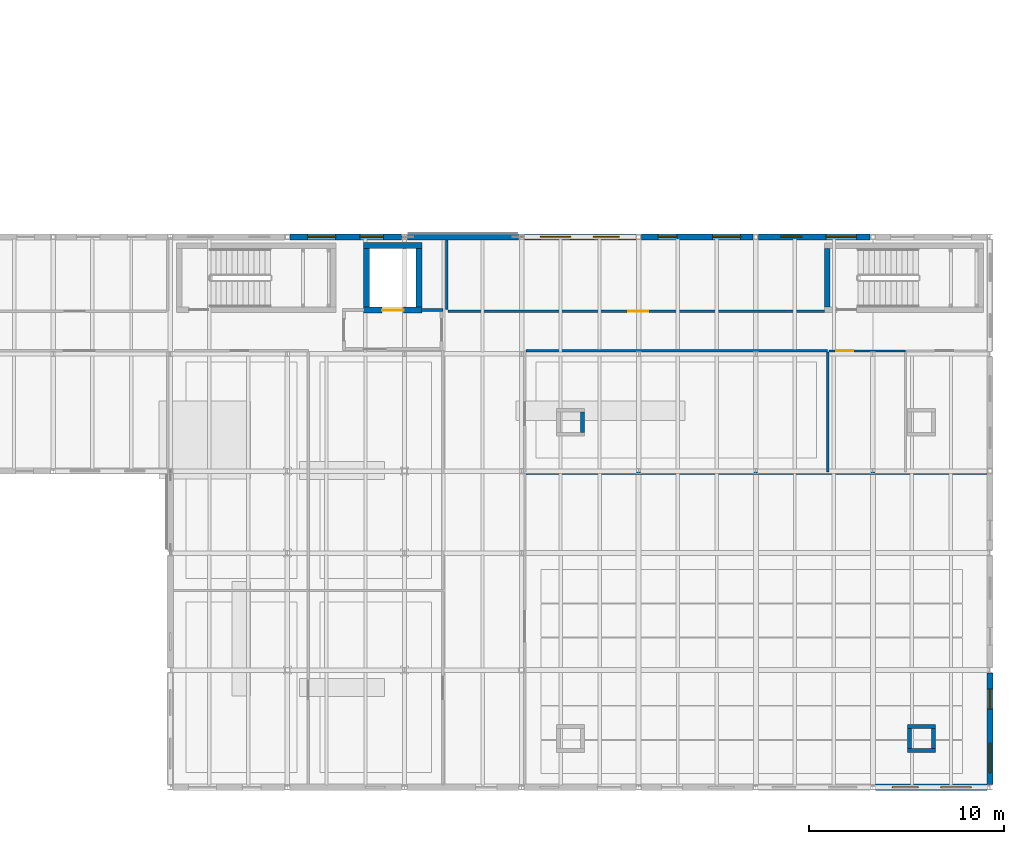
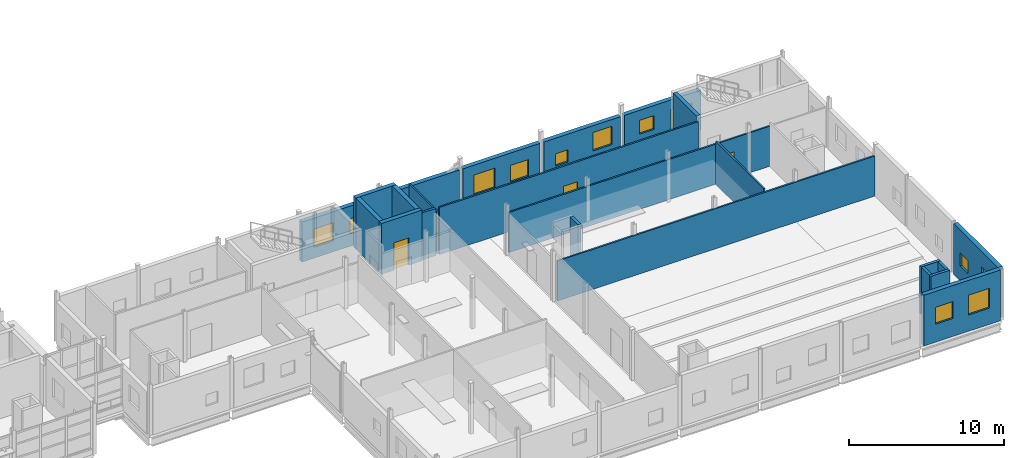
# One storey, part 75 of 92: 24 walls, 12 windows, 3 doors, 15 openings.
"""IFC4 building model written with IfcOpenShell, lengths in metres."""

from ifc_helpers import new_model, si_unit, direction, frame, frame_2d, origin, place, context, subcontext, project, spatial, rectangle, extrude, material, layer, layer_set, type_object, element, fill, save


model = new_model("IFC4")

# Units and contexts
model_context = context("Model", 3, precision=1e-05, world=origin(), true_north=direction((0.0, 1.0)))
body_context = subcontext(model_context, "Body", "Model", "MODEL_VIEW")
ifc_project = project(units=[si_unit("LENGTHUNIT", "METRE"), si_unit("AREAUNIT", "SQUARE_METRE"), si_unit("VOLUMEUNIT", "CUBIC_METRE"), si_unit("PLANEANGLEUNIT", "RADIAN"), si_unit("MASSUNIT", "GRAM", prefix="KILO")], contexts=[model_context])

# Site, building, storey
site_placement = place(None, origin())
site = spatial("IfcSite", under=ifc_project, at=site_placement, CompositionType="ELEMENT")
building_placement = place(site_placement, origin())
building = spatial("IfcBuilding", under=site, at=building_placement, Name="Siltcreek Boulevard Central Fire Station", CompositionType="ELEMENT")
storey_placement = place(building_placement, frame((0.0, 0.0, 6.0)))
storey = spatial("IfcBuildingStorey", under=building, at=storey_placement, Name="L02", CompositionType="ELEMENT", Elevation=6.0)

# Wall
ifc_material_1 = material(Name="Concrete C40/50", Category="concrete")
ifc_layer_1 = layer(ifc_material_1, 0.280029296875, Name="Concrete C40/50")
ifc_layer_set_1 = layer_set([ifc_layer_1], Name="Concrete C40/50")
wall_type_1 = type_object("IfcWallType", Name="CW_SHEAR280", PredefinedType="SHEAR", material=ifc_layer_set_1)
wall_1_placement = place(storey_placement, frame((157.860107421875, 29.39990234375, 0.0), z_axis=(0.0, 0.0, 1.0), x_axis=(0.0, -1.0, 0.0)))
element("IfcWall", 1, at=wall_1_placement, inside=storey, type_object=wall_type_1, Name="L02 ST-V6B stair enclosure west shear wall", PredefinedType="SHEAR", context=body_context, shape_type="SweptSolid", body=[
    extrude(rectangle(XDim=3.0, YDim=0.280029296875, at=frame_2d((1.5, 0.0))), origin(), (0.0, 0.0, 1.0), 4.0),
])

# Wall, opening, door
ifc_layer_2 = layer(ifc_material_1, 0.304931640625, Name="Concrete C40/50")
ifc_layer_set_2 = layer_set([ifc_layer_2], Name="Concrete C40/50")
wall_type_2 = type_object("IfcWallType", Name="CW_SHEAR305", PredefinedType="SHEAR", material=ifc_layer_set_2)
wall_2_placement = place(storey_placement, frame((134.094970703125, 26.24755859375, 0.0), z_axis=(0.0, 0.0, 1.0), x_axis=(1.0, 0.0, 0.0)))
wall_2 = element("IfcWall", 2, at=wall_2_placement, inside=storey, type_object=wall_type_2, Name="L02 EL-05 elevator shaft south shear wall", PredefinedType="SHEAR", context=body_context, shape_type="SweptSolid", body=[
    extrude(rectangle(XDim=3.010009765625, YDim=0.304931640625, at=frame_2d((1.5048828125, 0.0))), origin(), (0.0, 0.0, 1.0), 4.0),
])
opening_1_placement = place(wall_2_placement, frame((0.955078125, 0.0, 0.0)))
opening_1 = element("IfcOpeningElement", 3, at=opening_1_placement, cuts=wall_2, Name="Opening LD01", PredefinedType="OPENING", context=body_context, shape_type="SweptSolid", body=[
    extrude(rectangle(XDim=1.10009765625, YDim=2.14990234375, at=frame_2d((0.550048828125, 1.074951171875))), frame((0.0, 0.162353515625, 0.0), z_axis=(0.0, -1.0, 0.0), x_axis=(1.0, 0.0, 0.0)), (0.0, 0.0, 1.0), 0.324951171875),
])
ifc_material_2 = material(Name="Stainless steel fire-rated sliding elevator landing door", Category="steel")
door_type_1 = type_object("IfcDoorType", Name="DR_LD_110X215", OperationType="NOTDEFINED", PredefinedType="DOOR", material=ifc_material_2)
door_1_placement = place(opening_1_placement, origin())
door_1 = element("IfcDoor", 4, at=door_1_placement, inside=storey, type_object=door_type_1, Name="L02 EL-05 elevator sliding landing door LD-23", OperationType="SLIDING_TO_LEFT", OverallHeight=2.14990234375, OverallWidth=1.10009765625, PredefinedType="DOOR", context=body_context, shape_type="SweptSolid", body=[
    extrude(rectangle(XDim=1.10009765625, YDim=2.14990234375, at=frame_2d((0.550048828125, 1.074951171875))), frame((0.0, 0.02490234375, 0.0), z_axis=(0.0, -1.0, 0.0), x_axis=(1.0, 0.0, 0.0)), (0.0, 0.0, 1.0), 0.050048828125),
])
fill(opening_1, door_1)

# Walls
wall_3_placement = place(storey_placement, frame((137.10498046875, 29.552490234375, 0.0), z_axis=(0.0, 0.0, 1.0), x_axis=(-1.0, 0.0, 0.0)))
element("IfcWall", 5, at=wall_3_placement, inside=storey, type_object=wall_type_2, Name="L02 EL-05 elevator shaft north shear wall", PredefinedType="SHEAR", context=body_context, shape_type="SweptSolid", body=[
    extrude(rectangle(XDim=3.010009765625, YDim=0.304931640625, at=frame_2d((1.5048828125, 0.0))), origin(), (0.0, 0.0, 1.0), 4.0),
])
for number, where, z_axis, x_axis, name in (
    (6, (134.24755859375, 29.39990234375, 0.0), (0.0, 0.0, 1.0), (0.0, -1.0, 0.0), "L02 EL-05 elevator shaft west shear wall"),
    (7, (136.952392578125, 26.39990234375, 0.0), (0.0, 0.0, 1.0), (0.0, 1.0, 0.0), "L02 EL-05 elevator shaft east shear wall"),
):
    element("IfcWall", number, at=place(storey_placement, frame(where, z_axis=z_axis, x_axis=x_axis)), inside=storey, type_object=wall_type_2, Name=name, PredefinedType="SHEAR", context=body_context, shape_type="SweptSolid", body=[
        extrude(rectangle(XDim=3.0, YDim=0.304931640625, at=frame_2d((1.5, 0.0))), origin(), (0.0, 0.0, 1.0), 4.0),
    ])

# Wall, openings, windows
ifc_material_3 = material(Name="White ribbed aluminum insulated rainscreen panel", Category="aluminium")
ifc_layer_3 = layer(ifc_material_3, 0.320068359375, Name="White ribbed aluminum insulated rainscreen panel")
ifc_layer_set_3 = layer_set([ifc_layer_3], Name="White ribbed aluminum insulated rainscreen panel")
wall_type_3 = type_object("IfcWallType", Name="EW_METAL320", PredefinedType="STANDARD", material=ifc_layer_set_3)
wall_4_placement = place(storey_placement, frame((160.344970703125, 1.800048828125, 0.0), z_axis=(0.0, 0.0, 1.0), x_axis=(1.0, 0.0, 0.0)))
wall_4 = element("IfcWall", 8, at=wall_4_placement, inside=storey, type_object=wall_type_3, Name="L02 V6 exterior insulated rainscreen wall WL-EXT-L02-0463", PredefinedType="STANDARD", context=body_context, shape_type="SweptSolid", body=[
    extrude(rectangle(XDim=5.7099609375, YDim=0.320068359375, at=frame_2d((2.85498046875, 0.0))), origin(), (0.0, 0.0, 1.0), 4.0),
])
opening_2_placement = place(wall_4_placement, frame((0.8583984375, 0.0, 1.419921875)))
opening_2 = element("IfcOpeningElement", 9, at=opening_2_placement, cuts=wall_4, Name="Opening WN02", PredefinedType="OPENING", context=body_context, shape_type="SweptSolid", body=[
    extrude(rectangle(XDim=1.320068359375, YDim=1.320068359375, at=frame_2d((0.66015625, 0.66015625))), frame((0.0, 0.169921875, 0.0), z_axis=(0.0, -1.0, 0.0), x_axis=(1.0, 0.0, 0.0)), (0.0, 0.0, 1.0), 0.340087890625),
])
opening_3_placement = place(wall_4_placement, frame((3.336181640625, 0.0, 1.280029296875)))
opening_3 = element("IfcOpeningElement", 10, at=opening_3_placement, cuts=wall_4, Name="Opening WN04", PredefinedType="OPENING", context=body_context, shape_type="SweptSolid", body=[
    extrude(rectangle(XDim=1.56005859375, YDim=1.56005859375, at=frame_2d((0.780029296875, 0.780029296875))), frame((0.0, 0.169921875, 0.0), z_axis=(0.0, -1.0, 0.0), x_axis=(1.0, 0.0, 0.0)), (0.0, 0.0, 1.0), 0.340087890625),
])
ifc_material_4 = material(Name="Thermally broken aluminum frame with low-E insulated glass", Category="aluminium")
window_type_1 = type_object("IfcWindowType", Name="WN_SQ_132X132", PartitioningType="SINGLE_PANEL", PredefinedType="WINDOW", material=ifc_material_4)
window_1_placement = place(opening_2_placement, origin())
window_1 = element("IfcWindow", 11, at=window_1_placement, inside=storey, type_object=window_type_1, Name="L02 V6 square exterior window WN-0186", OverallHeight=1.320068359375, OverallWidth=1.320068359375, PartitioningType="SINGLE_PANEL", PredefinedType="WINDOW", context=body_context, shape_type="SweptSolid", body=[
    extrude(rectangle(XDim=1.320068359375, YDim=1.320068359375, at=frame_2d((0.66015625, 0.66015625))), frame((0.0, 0.030029296875, 0.0), z_axis=(0.0, -1.0, 0.0), x_axis=(1.0, 0.0, 0.0)), (0.0, 0.0, 1.0), 0.06005859375),
])
fill(opening_2, window_1)
window_type_2 = type_object("IfcWindowType", Name="WN_SQ_156X156", PartitioningType="SINGLE_PANEL", PredefinedType="WINDOW", material=ifc_material_4)
window_2_placement = place(opening_3_placement, origin())
window_2 = element("IfcWindow", 12, at=window_2_placement, inside=storey, type_object=window_type_2, Name="L02 V6 square exterior window WN-0187", OverallHeight=1.56005859375, OverallWidth=1.56005859375, PartitioningType="SINGLE_PANEL", PredefinedType="WINDOW", context=body_context, shape_type="SweptSolid", body=[
    extrude(rectangle(XDim=1.56005859375, YDim=1.56005859375, at=frame_2d((0.780029296875, 0.780029296875))), frame((0.0, 0.030029296875, 0.0), z_axis=(0.0, -1.0, 0.0), x_axis=(1.0, 0.0, 0.0)), (0.0, 0.0, 1.0), 0.06005859375),
])
fill(opening_3, window_2)

wall_5_placement = place(storey_placement, frame((136.054931640625, 30.0, 0.0), z_axis=(0.0, 0.0, 1.0), x_axis=(-1.0, 0.0, 0.0)))
wall_5 = element("IfcWall", 13, at=wall_5_placement, inside=storey, type_object=wall_type_3, Name="L02 V6 exterior insulated rainscreen wall WL-EXT-L02-0469", PredefinedType="STANDARD", context=body_context, shape_type="SweptSolid", body=[
    extrude(rectangle(XDim=5.7099609375, YDim=0.320068359375, at=frame_2d((2.85498046875, 0.0))), origin(), (0.0, 0.0, 1.0), 3.153076171875),
])
opening_4_placement = place(wall_5_placement, frame((0.936279296875, 0.0, 0.9599609375)))
opening_4 = element("IfcOpeningElement", 14, at=opening_4_placement, cuts=wall_5, Name="Opening WN01", PredefinedType="OPENING", context=body_context, shape_type="SweptSolid", body=[
    extrude(rectangle(XDim=1.199951171875, YDim=1.199951171875, at=frame_2d((0.60009765625, 0.60009765625))), frame((0.0, 0.169921875, 0.0), z_axis=(0.0, -1.0, 0.0), x_axis=(1.0, 0.0, 0.0)), (0.0, 0.0, 1.0), 0.340087890625),
])
opening_5_placement = place(wall_5_placement, frame((3.37841796875, 0.0, 0.860107421875)))
opening_5 = element("IfcOpeningElement", 15, at=opening_5_placement, cuts=wall_5, Name="Opening WN03", PredefinedType="OPENING", context=body_context, shape_type="SweptSolid", body=[
    extrude(rectangle(XDim=1.43994140625, YDim=1.43994140625, at=frame_2d((0.719970703125, 0.719970703125))), frame((0.0, 0.169921875, 0.0), z_axis=(0.0, -1.0, 0.0), x_axis=(1.0, 0.0, 0.0)), (0.0, 0.0, 1.0), 0.340087890625),
])
window_type_3 = type_object("IfcWindowType", Name="WN_SQ_120X120", PartitioningType="SINGLE_PANEL", PredefinedType="WINDOW", material=ifc_material_4)
window_3_placement = place(opening_4_placement, origin())
window_3 = element("IfcWindow", 16, at=window_3_placement, inside=storey, type_object=window_type_3, Name="L02 V6 square exterior window WN-0196", OverallHeight=1.199951171875, OverallWidth=1.199951171875, PartitioningType="SINGLE_PANEL", PredefinedType="WINDOW", context=body_context, shape_type="SweptSolid", body=[
    extrude(rectangle(XDim=1.199951171875, YDim=1.199951171875, at=frame_2d((0.60009765625, 0.60009765625))), frame((0.0, 0.030029296875, 0.0), z_axis=(0.0, -1.0, 0.0), x_axis=(1.0, 0.0, 0.0)), (0.0, 0.0, 1.0), 0.06005859375),
])
fill(opening_4, window_3)
window_type_4 = type_object("IfcWindowType", Name="WN_SQ_144X144", PartitioningType="SINGLE_PANEL", PredefinedType="WINDOW", material=ifc_material_4)
window_4_placement = place(opening_5_placement, origin())
window_4 = element("IfcWindow", 17, at=window_4_placement, inside=storey, type_object=window_type_4, Name="L02 V6 square exterior window WN-0197", OverallHeight=1.43994140625, OverallWidth=1.43994140625, PartitioningType="SINGLE_PANEL", PredefinedType="WINDOW", context=body_context, shape_type="SweptSolid", body=[
    extrude(rectangle(XDim=1.43994140625, YDim=1.43994140625, at=frame_2d((0.719970703125, 0.719970703125))), frame((0.0, 0.030029296875, 0.0), z_axis=(0.0, -1.0, 0.0), x_axis=(1.0, 0.0, 0.0)), (0.0, 0.0, 1.0), 0.06005859375),
])
fill(opening_5, window_4)

# Wall
wall_6_placement = place(storey_placement, frame((142.054931640625, 30.0, 0.0), z_axis=(0.0, 0.0, 1.0), x_axis=(-1.0, 0.0, 0.0)))
element("IfcWall", 18, at=wall_6_placement, inside=storey, type_object=wall_type_3, Name="L02 V6 exterior insulated rainscreen wall WL-EXT-L02-0470", PredefinedType="STANDARD", context=body_context, shape_type="SweptSolid", body=[
    extrude(rectangle(XDim=5.7099609375, YDim=0.320068359375, at=frame_2d((2.85498046875, 0.0))), origin(), (0.0, 0.0, 1.0), 3.153076171875),
])

# Wall, openings, windows
wall_7_placement = place(storey_placement, frame((148.054931640625, 30.0, 0.0), z_axis=(0.0, 0.0, 1.0), x_axis=(-1.0, 0.0, 0.0)))
wall_7 = element("IfcWall", 19, at=wall_7_placement, inside=storey, type_object=wall_type_3, Name="L02 V6 exterior insulated rainscreen wall WL-EXT-L02-0471", PredefinedType="STANDARD", context=body_context, shape_type="SweptSolid", body=[
    extrude(rectangle(XDim=5.7099609375, YDim=0.320068359375, at=frame_2d((2.85498046875, 0.0))), origin(), (0.0, 0.0, 1.0), 3.153076171875),
])
opening_6_placement = place(wall_7_placement, frame((0.8583984375, 0.0, 0.860107421875)))
opening_6 = element("IfcOpeningElement", 20, at=opening_6_placement, cuts=wall_7, Name="Opening WN02", PredefinedType="OPENING", context=body_context, shape_type="SweptSolid", body=[
    extrude(rectangle(XDim=1.320068359375, YDim=1.320068359375, at=frame_2d((0.66015625, 0.66015625))), frame((0.0, 0.169921875, 0.0), z_axis=(0.0, -1.0, 0.0), x_axis=(1.0, 0.0, 0.0)), (0.0, 0.0, 1.0), 0.340087890625),
])
opening_7_placement = place(wall_7_placement, frame((3.336181640625, 0.0, 0.820068359375)))
opening_7 = element("IfcOpeningElement", 21, at=opening_7_placement, cuts=wall_7, Name="Opening WN04", PredefinedType="OPENING", context=body_context, shape_type="SweptSolid", body=[
    extrude(rectangle(XDim=1.56005859375, YDim=1.56005859375, at=frame_2d((0.780029296875, 0.780029296875))), frame((0.0, 0.169921875, 0.0), z_axis=(0.0, -1.0, 0.0), x_axis=(1.0, 0.0, 0.0)), (0.0, 0.0, 1.0), 0.340087890625),
])
window_5_placement = place(opening_6_placement, origin())
window_5 = element("IfcWindow", 22, at=window_5_placement, inside=storey, type_object=window_type_1, Name="L02 V6 square exterior window WN-0198", OverallHeight=1.320068359375, OverallWidth=1.320068359375, PartitioningType="SINGLE_PANEL", PredefinedType="WINDOW", context=body_context, shape_type="SweptSolid", body=[
    extrude(rectangle(XDim=1.320068359375, YDim=1.320068359375, at=frame_2d((0.66015625, 0.66015625))), frame((0.0, 0.030029296875, 0.0), z_axis=(0.0, -1.0, 0.0), x_axis=(1.0, 0.0, 0.0)), (0.0, 0.0, 1.0), 0.06005859375),
])
fill(opening_6, window_5)
window_6_placement = place(opening_7_placement, origin())
window_6 = element("IfcWindow", 23, at=window_6_placement, inside=storey, type_object=window_type_2, Name="L02 V6 square exterior window WN-0199", OverallHeight=1.56005859375, OverallWidth=1.56005859375, PartitioningType="SINGLE_PANEL", PredefinedType="WINDOW", context=body_context, shape_type="SweptSolid", body=[
    extrude(rectangle(XDim=1.56005859375, YDim=1.56005859375, at=frame_2d((0.780029296875, 0.780029296875))), frame((0.0, 0.030029296875, 0.0), z_axis=(0.0, -1.0, 0.0), x_axis=(1.0, 0.0, 0.0)), (0.0, 0.0, 1.0), 0.06005859375),
])
fill(opening_7, window_6)

wall_8_placement = place(storey_placement, frame((154.054931640625, 30.0, 0.0), z_axis=(0.0, 0.0, 1.0), x_axis=(-1.0, 0.0, 0.0)))
wall_8 = element("IfcWall", 24, at=wall_8_placement, inside=storey, type_object=wall_type_3, Name="L02 V6 exterior insulated rainscreen wall WL-EXT-L02-0472", PredefinedType="STANDARD", context=body_context, shape_type="SweptSolid", body=[
    extrude(rectangle(XDim=5.7099609375, YDim=0.320068359375, at=frame_2d((2.85498046875, 0.0))), origin(), (0.0, 0.0, 1.0), 3.153076171875),
])
opening_8_placement = place(wall_8_placement, frame((0.6279296875, 0.0, 1.179931640625)))
opening_8 = element("IfcOpeningElement", 25, at=opening_8_placement, cuts=wall_8, Name="Opening WN03", PredefinedType="OPENING", context=body_context, shape_type="SweptSolid", body=[
    extrude(rectangle(XDim=1.43994140625, YDim=1.43994140625, at=frame_2d((0.719970703125, 0.719970703125))), frame((0.0, 0.169921875, 0.0), z_axis=(0.0, -1.0, 0.0), x_axis=(1.0, 0.0, 0.0)), (0.0, 0.0, 1.0), 0.340087890625),
])
opening_9_placement = place(wall_8_placement, frame((3.894287109375, 0.0, 0.9599609375)))
opening_9 = element("IfcOpeningElement", 26, at=opening_9_placement, cuts=wall_8, Name="Opening WN06", PredefinedType="OPENING", context=body_context, shape_type="SweptSolid", body=[
    extrude(rectangle(XDim=0.9599609375, YDim=0.9599609375, at=frame_2d((0.47998046875, 0.47998046875))), frame((0.0, 0.169921875, 0.0), z_axis=(0.0, -1.0, 0.0), x_axis=(1.0, 0.0, 0.0)), (0.0, 0.0, 1.0), 0.340087890625),
])
window_type_5 = type_object("IfcWindowType", Name="WN_SQ_096X096", PartitioningType="SINGLE_PANEL", PredefinedType="WINDOW", material=ifc_material_4)
window_7_placement = place(opening_9_placement, origin())
window_7 = element("IfcWindow", 27, at=window_7_placement, inside=storey, type_object=window_type_5, Name="L02 V6 square exterior window WN-0201", OverallHeight=0.9599609375, OverallWidth=0.9599609375, PartitioningType="SINGLE_PANEL", PredefinedType="WINDOW", context=body_context, shape_type="SweptSolid", body=[
    extrude(rectangle(XDim=0.9599609375, YDim=0.9599609375, at=frame_2d((0.47998046875, 0.47998046875))), frame((0.0, 0.030029296875, 0.0), z_axis=(0.0, -1.0, 0.0), x_axis=(1.0, 0.0, 0.0)), (0.0, 0.0, 1.0), 0.06005859375),
])
fill(opening_9, window_7)
window_8_placement = place(opening_8_placement, origin())
window_8 = element("IfcWindow", 28, at=window_8_placement, inside=storey, type_object=window_type_4, Name="L02 V6 square exterior window WN-0200", OverallHeight=1.43994140625, OverallWidth=1.43994140625, PartitioningType="SINGLE_PANEL", PredefinedType="WINDOW", context=body_context, shape_type="SweptSolid", body=[
    extrude(rectangle(XDim=1.43994140625, YDim=1.43994140625, at=frame_2d((0.719970703125, 0.719970703125))), frame((0.0, 0.030029296875, 0.0), z_axis=(0.0, -1.0, 0.0), x_axis=(1.0, 0.0, 0.0)), (0.0, 0.0, 1.0), 0.06005859375),
])
fill(opening_8, window_8)

wall_9_placement = place(storey_placement, frame((160.054931640625, 30.0, 0.0), z_axis=(0.0, 0.0, 1.0), x_axis=(-1.0, 0.0, 0.0)))
wall_9 = element("IfcWall", 29, at=wall_9_placement, inside=storey, type_object=wall_type_3, Name="L02 V6 exterior insulated rainscreen wall WL-EXT-L02-0473", PredefinedType="STANDARD", context=body_context, shape_type="SweptSolid", body=[
    extrude(rectangle(XDim=5.7099609375, YDim=0.320068359375, at=frame_2d((2.85498046875, 0.0))), origin(), (0.0, 0.0, 1.0), 3.153076171875),
])
opening_10_placement = place(wall_9_placement, frame((0.702392578125, 0.0, 0.820068359375)))
opening_10 = element("IfcOpeningElement", 30, at=opening_10_placement, cuts=wall_9, Name="Opening WN04", PredefinedType="OPENING", context=body_context, shape_type="SweptSolid", body=[
    extrude(rectangle(XDim=1.56005859375, YDim=1.56005859375, at=frame_2d((0.780029296875, 0.780029296875))), frame((0.0, 0.169921875, 0.0), z_axis=(0.0, -1.0, 0.0), x_axis=(1.0, 0.0, 0.0)), (0.0, 0.0, 1.0), 0.340087890625),
])
opening_11_placement = place(wall_9_placement, frame((3.50439453125, 0.0, 1.280029296875)))
opening_11 = element("IfcOpeningElement", 31, at=opening_11_placement, cuts=wall_9, Name="Opening WN05", PredefinedType="OPENING", context=body_context, shape_type="SweptSolid", body=[
    extrude(rectangle(XDim=1.080078125, YDim=1.080078125, at=frame_2d((0.5400390625, 0.5400390625))), frame((0.0, 0.169921875, 0.0), z_axis=(0.0, -1.0, 0.0), x_axis=(1.0, 0.0, 0.0)), (0.0, 0.0, 1.0), 0.340087890625),
])
window_type_6 = type_object("IfcWindowType", Name="WN_SQ_108X108", PartitioningType="SINGLE_PANEL", PredefinedType="WINDOW", material=ifc_material_4)
window_9_placement = place(opening_11_placement, origin())
window_9 = element("IfcWindow", 32, at=window_9_placement, inside=storey, type_object=window_type_6, Name="L02 V6 square exterior window WN-0203", OverallHeight=1.080078125, OverallWidth=1.080078125, PartitioningType="SINGLE_PANEL", PredefinedType="WINDOW", context=body_context, shape_type="SweptSolid", body=[
    extrude(rectangle(XDim=1.080078125, YDim=1.080078125, at=frame_2d((0.5400390625, 0.5400390625))), frame((0.0, 0.030029296875, 0.0), z_axis=(0.0, -1.0, 0.0), x_axis=(1.0, 0.0, 0.0)), (0.0, 0.0, 1.0), 0.06005859375),
])
fill(opening_11, window_9)
window_10_placement = place(opening_10_placement, origin())
window_10 = element("IfcWindow", 33, at=window_10_placement, inside=storey, type_object=window_type_2, Name="L02 V6 square exterior window WN-0202", OverallHeight=1.56005859375, OverallWidth=1.56005859375, PartitioningType="SINGLE_PANEL", PredefinedType="WINDOW", context=body_context, shape_type="SweptSolid", body=[
    extrude(rectangle(XDim=1.56005859375, YDim=1.56005859375, at=frame_2d((0.780029296875, 0.780029296875))), frame((0.0, 0.030029296875, 0.0), z_axis=(0.0, -1.0, 0.0), x_axis=(1.0, 0.0, 0.0)), (0.0, 0.0, 1.0), 0.06005859375),
])
fill(opening_10, window_10)

wall_10_placement = place(storey_placement, frame((166.199951171875, 1.945068359375, 0.0), z_axis=(0.0, 0.0, 1.0), x_axis=(0.0, 1.0, 0.0)))
wall_10 = element("IfcWall", 34, at=wall_10_placement, inside=storey, type_object=wall_type_3, Name="L02 V6 exterior insulated rainscreen wall WL-EXT-L02-0480", PredefinedType="STANDARD", context=body_context, shape_type="SweptSolid", body=[
    extrude(rectangle(XDim=5.7099609375, YDim=0.320068359375, at=frame_2d((2.85498046875, 0.0))), origin(), (0.0, 0.0, 1.0), 4.0),
])
opening_12_placement = place(wall_10_placement, frame((0.60693359375, 0.0, 1.280029296875)))
opening_12 = element("IfcOpeningElement", 35, at=opening_12_placement, cuts=wall_10, Name="Opening WN42", PredefinedType="OPENING", context=body_context, shape_type="SweptSolid", body=[
    extrude(rectangle(XDim=1.5, YDim=1.5, at=frame_2d((0.75, 0.75))), frame((0.0, 0.169921875, 0.0), z_axis=(0.0, -1.0, 0.0), x_axis=(1.0, 0.0, 0.0)), (0.0, 0.0, 1.0), 0.340087890625),
])
opening_13_placement = place(wall_10_placement, frame((3.855224609375, 0.0, 1.179931640625)))
opening_13 = element("IfcOpeningElement", 36, at=opening_13_placement, cuts=wall_10, Name="Opening WN38", PredefinedType="OPENING", context=body_context, shape_type="SweptSolid", body=[
    extrude(rectangle(XDim=1.02001953125, YDim=1.02001953125, at=frame_2d((0.510009765625, 0.510009765625))), frame((0.0, 0.169921875, 0.0), z_axis=(0.0, -1.0, 0.0), x_axis=(1.0, 0.0, 0.0)), (0.0, 0.0, 1.0), 0.340087890625),
])
window_type_7 = type_object("IfcWindowType", Name="WN_SQ_102X102", PartitioningType="SINGLE_PANEL", PredefinedType="WINDOW", material=ifc_material_4)
window_11_placement = place(opening_13_placement, origin())
window_11 = element("IfcWindow", 37, at=window_11_placement, inside=storey, type_object=window_type_7, Name="L02 V6 square exterior window WN-0214", OverallHeight=1.02001953125, OverallWidth=1.02001953125, PartitioningType="SINGLE_PANEL", PredefinedType="WINDOW", context=body_context, shape_type="SweptSolid", body=[
    extrude(rectangle(XDim=1.02001953125, YDim=1.02001953125, at=frame_2d((0.510009765625, 0.510009765625))), frame((0.0, 0.030029296875, 0.0), z_axis=(0.0, -1.0, 0.0), x_axis=(1.0, 0.0, 0.0)), (0.0, 0.0, 1.0), 0.06005859375),
])
fill(opening_13, window_11)
window_type_8 = type_object("IfcWindowType", Name="WN_SQ_150X150", PartitioningType="SINGLE_PANEL", PredefinedType="WINDOW", material=ifc_material_4)
window_12_placement = place(opening_12_placement, origin())
window_12 = element("IfcWindow", 38, at=window_12_placement, inside=storey, type_object=window_type_8, Name="L02 V6 square exterior window WN-0213", OverallHeight=1.5, OverallWidth=1.5, PartitioningType="SINGLE_PANEL", PredefinedType="WINDOW", context=body_context, shape_type="SweptSolid", body=[
    extrude(rectangle(XDim=1.5, YDim=1.5, at=frame_2d((0.75, 0.75))), frame((0.0, 0.030029296875, 0.0), z_axis=(0.0, -1.0, 0.0), x_axis=(1.0, 0.0, 0.0)), (0.0, 0.0, 1.0), 0.06005859375),
])
fill(opening_12, window_12)

# Walls
ifc_material_5 = material(Name="Fire-rated concrete masonry and gypsum barrier", Category="masonry")
ifc_layer_4 = layer(ifc_material_5, 0.199951171875, Name="Fire-rated concrete masonry and gypsum barrier")
ifc_layer_set_4 = layer_set([ifc_layer_4], Name="Fire-rated concrete masonry and gypsum barrier")
wall_type_4 = type_object("IfcWallType", Name="IW_FIRE200", PredefinedType="PARTITIONING", material=ifc_layer_set_4)
wall_11_placement = place(storey_placement, frame((145.31494140625, 19.985107421875, 0.0), z_axis=(0.0, 0.0, 1.0), x_axis=(0.0, 1.0, 0.0)))
element("IfcWall", 39, at=wall_11_placement, inside=storey, type_object=wall_type_4, Name="L02 enclosed MEP service riser wall 021-E", PredefinedType="PARTITIONING", context=body_context, shape_type="SweptSolid", body=[
    extrude(rectangle(XDim=1.02978515625, YDim=0.199951171875, at=frame_2d((0.514892578125, 0.0))), origin(), (0.0, 0.0, 1.0), 3.719970703125),
])
wall_12_placement = place(storey_placement, frame((161.985107421875, 3.68505859375, 0.0), z_axis=(0.0, 0.0, 1.0), x_axis=(1.0, 0.0, 0.0)))
element("IfcWall", 40, at=wall_12_placement, inside=storey, type_object=wall_type_4, Name="L02 enclosed MEP service riser wall 022-S", PredefinedType="PARTITIONING", context=body_context, shape_type="SweptSolid", body=[
    extrude(rectangle(XDim=1.429931640625, YDim=0.199951171875, at=frame_2d((0.71484375, 0.0))), origin(), (0.0, 0.0, 1.0), 3.719970703125),
])
wall_13_placement = place(storey_placement, frame((163.31494140625, 3.784912109375, 0.0), z_axis=(0.0, 0.0, 1.0), x_axis=(0.0, 1.0, 0.0)))
element("IfcWall", 41, at=wall_13_placement, inside=storey, type_object=wall_type_4, Name="L02 enclosed MEP service riser wall 022-E", PredefinedType="PARTITIONING", context=body_context, shape_type="SweptSolid", body=[
    extrude(rectangle(XDim=1.030029296875, YDim=0.199951171875, at=frame_2d((0.51513671875, 0.0))), origin(), (0.0, 0.0, 1.0), 3.719970703125),
])
wall_14_placement = place(storey_placement, frame((163.4150390625, 4.9150390625, 0.0), z_axis=(0.0, 0.0, 1.0), x_axis=(-1.0, 0.0, 0.0)))
element("IfcWall", 42, at=wall_14_placement, inside=storey, type_object=wall_type_4, Name="L02 enclosed MEP service riser wall 022-N", PredefinedType="PARTITIONING", context=body_context, shape_type="SweptSolid", body=[
    extrude(rectangle(XDim=1.429931640625, YDim=0.199951171875, at=frame_2d((0.71484375, 0.0))), origin(), (0.0, 0.0, 1.0), 3.719970703125),
])
wall_15_placement = place(storey_placement, frame((162.0849609375, 4.81494140625, 0.0), z_axis=(0.0, 0.0, 1.0), x_axis=(0.0, -1.0, 0.0)))
element("IfcWall", 43, at=wall_15_placement, inside=storey, type_object=wall_type_4, Name="L02 enclosed MEP service riser wall 022-W", PredefinedType="PARTITIONING", context=body_context, shape_type="SweptSolid", body=[
    extrude(rectangle(XDim=1.030029296875, YDim=0.199951171875, at=frame_2d((0.51513671875, 0.0))), origin(), (0.0, 0.0, 1.0), 3.719970703125),
])
ifc_material_6 = material(Name="Interior steel stud gypsum partition", Category="steel")
ifc_layer_5 = layer(ifc_material_6, 0.125, Name="Interior steel stud gypsum partition")
ifc_layer_set_5 = layer_set([ifc_layer_5], Name="Interior steel stud gypsum partition")
wall_type_5 = type_object("IfcWallType", Name="IW_PART125", PredefinedType="PARTITIONING", material=ifc_layer_set_5)
wall_16_placement = place(storey_placement, frame((142.4326171875, 17.8798828125, 0.0), z_axis=(0.0, 0.0, 1.0), x_axis=(1.0, 0.0, 0.0)))
element("IfcWall", 44, at=wall_16_placement, inside=storey, type_object=wall_type_5, Name="L02 Lecture Theatre partition 0187", PredefinedType="PARTITIONING", context=body_context, shape_type="SweptSolid", body=[
    extrude(rectangle(XDim=23.607421875, YDim=0.125, at=frame_2d((11.8037109375, 0.0))), origin(), (0.0, 0.0, 1.0), 3.153076171875),
])
wall_17_placement = place(storey_placement, frame((142.4326171875, 24.159912109375, 0.0), z_axis=(0.0, 0.0, 1.0), x_axis=(1.0, 0.0, 0.0)))
element("IfcWall", 45, at=wall_17_placement, inside=storey, type_object=wall_type_5, Name="L02 Training Classroom 205 partition 0196", PredefinedType="PARTITIONING", context=body_context, shape_type="SweptSolid", body=[
    extrude(rectangle(XDim=15.449951171875, YDim=0.125, at=frame_2d((7.72509765625, 0.0))), origin(), (0.0, 0.0, 1.0), 3.153076171875),
])
wall_18_placement = place(storey_placement, frame((157.8798828125, 24.097412109375, 0.0), z_axis=(0.0, 0.0, 1.0), x_axis=(0.0, -1.0, 0.0)))
element("IfcWall", 46, at=wall_18_placement, inside=storey, type_object=wall_type_5, Name="L02 Training Classroom 205 partition 0197", PredefinedType="PARTITIONING", context=body_context, shape_type="SweptSolid", body=[
    extrude(rectangle(XDim=6.155029296875, YDim=0.125, at=frame_2d((3.07763671875, 0.0))), origin(), (0.0, 0.0, 1.0), 3.37890625),
])
wall_19_placement = place(storey_placement, frame((138.3701171875, 26.280029296875, 0.0), z_axis=(0.0, 0.0, 1.0), x_axis=(0.0, 1.0, 0.0)))
element("IfcWall", 47, at=wall_19_placement, inside=storey, type_object=wall_type_5, Name="L02 Lecture Projection and Media Room partition 0201", PredefinedType="PARTITIONING", context=body_context, shape_type="SweptSolid", body=[
    extrude(rectangle(XDim=3.56005859375, YDim=0.125, at=frame_2d((1.780029296875, 0.0))), origin(), (0.0, 0.0, 1.0), 3.37890625),
])

# Wall, opening, door
wall_20_placement = place(storey_placement, frame((157.719970703125, 26.199951171875, 0.0), z_axis=(0.0, 0.0, 1.0), x_axis=(-1.0, 0.0, 0.0)))
wall_20 = element("IfcWall", 48, at=wall_20_placement, inside=storey, type_object=wall_type_5, Name="L02 Lecture Projection and Media Room partition 0202", PredefinedType="PARTITIONING", context=body_context, shape_type="SweptSolid", body=[
    extrude(rectangle(XDim=19.287353515625, YDim=0.125, at=frame_2d((9.6435546875, 0.0))), origin(), (0.0, 0.0, 1.0), 3.719970703125),
])
opening_14_placement = place(wall_20_placement, frame((9.01806640625, 0.0, 0.0)))
opening_14 = element("IfcOpeningElement", 49, at=opening_14_placement, cuts=wall_20, Name="Opening ID01", PredefinedType="OPENING", context=body_context, shape_type="SweptSolid", body=[
    extrude(rectangle(XDim=1.030029296875, YDim=2.14990234375, at=frame_2d((0.51513671875, 1.074951171875))), frame((0.0, 0.072509765625, 0.0), z_axis=(0.0, -1.0, 0.0), x_axis=(1.0, 0.0, 0.0)), (0.0, 0.0, 1.0), 0.14501953125),
])
ifc_material_7 = material(Name="Solid-core timber acoustic classroom door", Category="wood")
door_type_2 = type_object("IfcDoorType", Name="DR_CLS_103X215", OperationType="NOTDEFINED", PredefinedType="DOOR", material=ifc_material_7)
door_2_placement = place(opening_14_placement, frame((1.030029296875, 0.0, 0.0), z_axis=(0.0, 0.0, 1.0), x_axis=(-1.0, 0.0, 0.0)))
door_2 = element("IfcDoor", 50, at=door_2_placement, inside=storey, type_object=door_type_2, Name="L02 Lecture Projection and Media Room door ID-0092", OperationType="SINGLE_SWING_LEFT", OverallHeight=2.14990234375, OverallWidth=1.030029296875, PredefinedType="DOOR", context=body_context, shape_type="SweptSolid", body=[
    extrude(rectangle(XDim=1.030029296875, YDim=2.14990234375, at=frame_2d((0.51513671875, 1.074951171875))), frame((0.0, 0.02490234375, 0.0), z_axis=(0.0, -1.0, 0.0), x_axis=(1.0, 0.0, 0.0)), (0.0, 0.0, 1.0), 0.050048828125),
])
fill(opening_14, door_2)

# Wall
ifc_material_8 = material(Name="Acoustic smoke-barrier steel stud gypsum wall", Category="steel")
ifc_layer_6 = layer(ifc_material_8, 0.1650390625, Name="Acoustic smoke-barrier steel stud gypsum wall")
ifc_layer_set_6 = layer_set([ifc_layer_6], Name="Acoustic smoke-barrier steel stud gypsum wall")
wall_type_6 = type_object("IfcWallType", Name="IW_SMK165", PredefinedType="PARTITIONING", material=ifc_layer_set_6)
wall_21_placement = place(storey_placement, frame((137.06494140625, 26.24755859375, 0.0), z_axis=(0.0, 0.0, 1.0), x_axis=(1.0, 0.0, 0.0)))
element("IfcWall", 51, at=wall_21_placement, inside=storey, type_object=wall_type_6, Name="L02 EL-05 elevator lobby NE smoke partition", PredefinedType="PARTITIONING", context=body_context, shape_type="SweptSolid", body=[
    extrude(rectangle(XDim=1.114990234375, YDim=0.1650390625, at=frame_2d((0.5576171875, 0.0))), origin(), (0.0, 0.0, 1.0), 3.719970703125),
])

# Wall, opening, door
ifc_material_9 = material(Name="Moisture-resistant tile backer toilet partition", Category="gypsum")
ifc_layer_7 = layer(ifc_material_9, 0.110107421875, Name="Moisture-resistant tile backer toilet partition")
ifc_layer_set_7 = layer_set([ifc_layer_7], Name="Moisture-resistant tile backer toilet partition")
wall_type_7 = type_object("IfcWallType", Name="IW_WET110", PredefinedType="PARTITIONING", material=ifc_layer_set_7)
wall_22_placement = place(storey_placement, frame((157.9423828125, 24.159912109375, 0.0), z_axis=(0.0, 0.0, 1.0), x_axis=(1.0, 0.0, 0.0)))
wall_22 = element("IfcWall", 52, at=wall_22_placement, inside=storey, type_object=wall_type_7, Name="L02 Academy Staff Toilet L02 partition 0198", PredefinedType="PARTITIONING", context=body_context, shape_type="SweptSolid", body=[
    extrude(rectangle(XDim=3.9326171875, YDim=0.110107421875, at=frame_2d((1.96630859375, 0.0))), origin(), (0.0, 0.0, 1.0), 3.153076171875),
])
opening_15_placement = place(wall_22_placement, frame((0.388427734375, 0.0, 0.0)))
opening_15 = element("IfcOpeningElement", 53, at=opening_15_placement, cuts=wall_22, Name="Opening ID09", PredefinedType="OPENING", context=body_context, shape_type="SweptSolid", body=[
    extrude(rectangle(XDim=0.8701171875, YDim=2.06005859375, at=frame_2d((0.43505859375, 1.030029296875))), frame((0.0, 0.06494140625, 0.0), z_axis=(0.0, -1.0, 0.0), x_axis=(1.0, 0.0, 0.0)), (0.0, 0.0, 1.0), 0.130126953125),
])
ifc_material_10 = material(Name="Moisture-resistant staff toilet door")
door_type_3 = type_object("IfcDoorType", Name="DR_WC_087X206", OperationType="NOTDEFINED", PredefinedType="DOOR", material=ifc_material_10)
door_3_placement = place(opening_15_placement, frame((0.8701171875, 0.0, 0.0), z_axis=(0.0, 0.0, 1.0), x_axis=(-1.0, 0.0, 0.0)))
door_3 = element("IfcDoor", 54, at=door_3_placement, inside=storey, type_object=door_type_3, Name="L02 Academy Staff Toilet L02 door ID-0090", OperationType="SINGLE_SWING_LEFT", OverallHeight=2.06005859375, OverallWidth=0.8701171875, PredefinedType="DOOR", context=body_context, shape_type="SweptSolid", body=[
    extrude(rectangle(XDim=0.8701171875, YDim=2.06005859375, at=frame_2d((0.43505859375, 1.030029296875))), frame((0.0, 0.02490234375, 0.0), z_axis=(0.0, -1.0, 0.0), x_axis=(1.0, 0.0, 0.0)), (0.0, 0.0, 1.0), 0.050048828125),
])
fill(opening_15, door_3)

save(model, "model.ifc")
